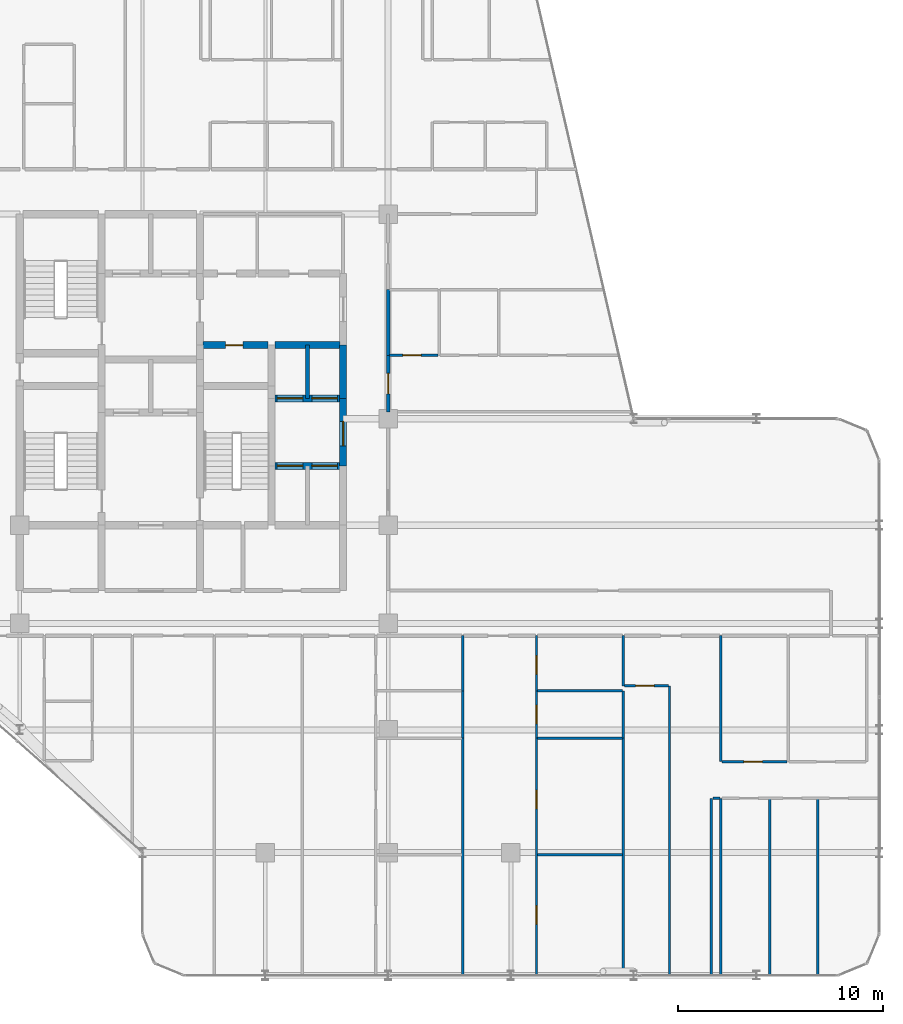
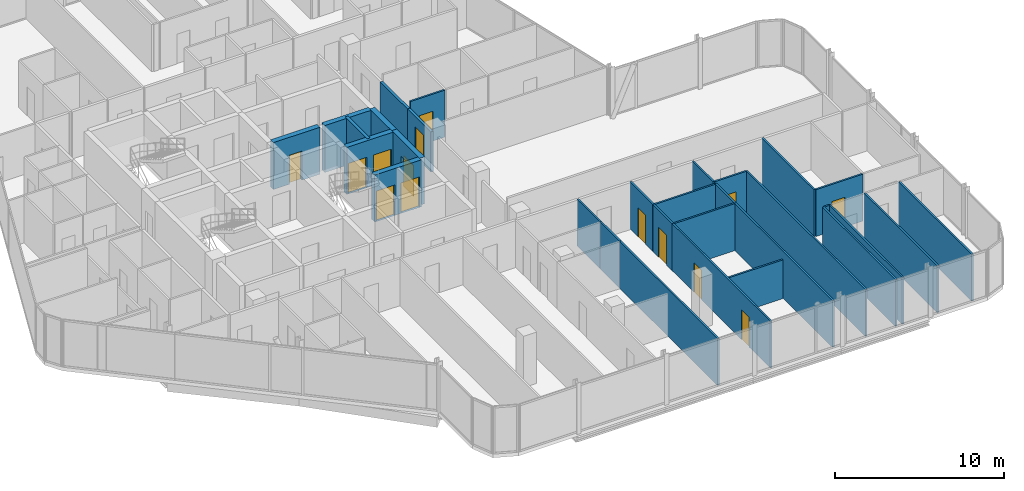
# One storey, part 25 of 29: 31 walls, 14 doors, 14 openings.
"""IFC4 building model written with IfcOpenShell, lengths in metres."""

from ifc_helpers import new_model, si_unit, direction, frame, frame_2d, origin, place, context, subcontext, project, spatial, rectangle, extrude, material, layer, layer_set, type_object, element, fill, save


model = new_model("IFC4")

# Units and contexts
model_context = context("Model", 3, precision=1e-05, world=origin(), true_north=direction((0.0, 1.0)))
body_context = subcontext(model_context, "Body", "Model", "MODEL_VIEW")
ifc_project = project(units=[si_unit("LENGTHUNIT", "METRE"), si_unit("AREAUNIT", "SQUARE_METRE"), si_unit("VOLUMEUNIT", "CUBIC_METRE"), si_unit("PLANEANGLEUNIT", "RADIAN"), si_unit("MASSUNIT", "GRAM", prefix="KILO")], contexts=[model_context])

# Site, building, storey
site_placement = place(None, origin())
site = spatial("IfcSite", under=ifc_project, at=site_placement, CompositionType="ELEMENT")
building_placement = place(site_placement, origin())
building = spatial("IfcBuilding", under=site, at=building_placement, Name="Keshet Zoharim Tower", CompositionType="ELEMENT")
storey_placement = place(building_placement, frame((0.0, 0.0, 199.5)))
storey = spatial("IfcBuildingStorey", under=building, at=storey_placement, Name="L49", CompositionType="ELEMENT", Elevation=199.5)

# Wall, opening, door
ifc_material_1 = material(Name="Concrete C60/75", Category="concrete")
ifc_layer_1 = layer(ifc_material_1, 0.35009765625)
ifc_layer_set_1 = layer_set([ifc_layer_1], Name="Concrete C60/75")
wall_type_1 = type_object("IfcWallType", Name="WL-CORE-350", PredefinedType="SHEAR", material=ifc_layer_set_1)
wall_1_placement = place(storey_placement, frame((30.800048828125, 25.60009765625, 0.0), z_axis=(0.0, 0.0, 1.0), x_axis=(0.0, 1.0, 0.0)))
wall_1 = element("IfcWall", 1, at=wall_1_placement, inside=storey, type_object=wall_type_1, Name="L49 Core Shear Wall 064", PredefinedType="SHEAR", context=body_context, shape_type="SweptSolid", body=[
    extrude(rectangle(XDim=3.2998046875, YDim=0.35009765625, at=frame_2d((1.64990234375, 0.0))), origin(), (0.0, 0.0, 1.0), 3.389892578125),
])
opening_1_placement = place(wall_1_placement, frame((0.97802734375, 0.0, 0.0)))
opening_1 = element("IfcOpeningElement", 2, at=opening_1_placement, cuts=wall_1, Name="Opening D-F612", PredefinedType="OPENING", context=body_context, shape_type="SweptSolid", body=[
    extrude(rectangle(XDim=1.199951171875, YDim=2.199951171875, at=frame_2d((0.60009765625, 1.10009765625))), frame((0.0, 0.18505859375, 0.0), z_axis=(0.0, -1.0, 0.0), x_axis=(1.0, 0.0, 0.0)), (0.0, 0.0, 1.0), 0.3701171875),
])
ifc_material_2 = material(Name="Hardwood Timber", Category="wood")
door_type_1 = type_object("IfcDoorType", Name="DR-FD60-120", OperationType="NOTDEFINED", PredefinedType="DOOR", material=ifc_material_2)
door_1_placement = place(opening_1_placement, origin())
door_1 = element("IfcDoor", 3, at=door_1_placement, inside=storey, type_object=door_type_1, Name="L49 East Lift Lobby Fire Door", OperationType="SINGLE_SWING_RIGHT", OverallHeight=2.199951171875, OverallWidth=1.199951171875, PredefinedType="DOOR", context=body_context, shape_type="SweptSolid", body=[
    extrude(rectangle(XDim=1.199951171875, YDim=2.199951171875, at=frame_2d((0.60009765625, 1.10009765625))), frame((0.0, 0.02490234375, 0.0), z_axis=(0.0, -1.0, 0.0), x_axis=(1.0, 0.0, 0.0)), (0.0, 0.0, 1.0), 0.050048828125),
])
fill(opening_1, door_1)

# Wall
wall_2_placement = place(storey_placement, frame((30.800048828125, 28.89990234375, 0.0), z_axis=(0.0, 0.0, 1.0), x_axis=(0.0, 1.0, 0.0)))
element("IfcWall", 4, at=wall_2_placement, inside=storey, type_object=wall_type_1, Name="L49 Core Shear Wall 065", PredefinedType="SHEAR", context=body_context, shape_type="SweptSolid", body=[
    extrude(rectangle(XDim=2.60009765625, YDim=0.35009765625, at=frame_2d((1.300048828125, 0.0))), origin(), (0.0, 0.0, 1.0), 3.389892578125),
])

# Wall, openings, doors
wall_3_placement = place(storey_placement, frame((27.4599609375, 25.60009765625, 0.0), z_axis=(0.0, 0.0, 1.0), x_axis=(1.0, 0.0, 0.0)))
wall_3 = element("IfcWall", 5, at=wall_3_placement, inside=storey, type_object=wall_type_1, Name="L49 Core Shear Wall 145", PredefinedType="SHEAR", context=body_context, shape_type="SweptSolid", body=[
    extrude(rectangle(XDim=3.179931640625, YDim=0.35009765625, at=frame_2d((1.58984375, 0.0))), origin(), (0.0, 0.0, 1.0), 3.389892578125),
])
opening_2_placement = place(wall_3_placement, frame((0.1201171875, 0.0, 0.0)))
opening_2 = element("IfcOpeningElement", 6, at=opening_2_placement, cuts=wall_3, Name="Opening LD-01", PredefinedType="OPENING", context=body_context, shape_type="SweptSolid", body=[
    extrude(rectangle(XDim=1.25, YDim=2.199951171875, at=frame_2d((0.625, 1.10009765625))), frame((0.0, 0.18505859375, 0.0), z_axis=(0.0, -1.0, 0.0), x_axis=(1.0, 0.0, 0.0)), (0.0, 0.0, 1.0), 0.3701171875),
])
opening_3_placement = place(wall_3_placement, frame((1.81005859375, 0.0, 0.0)))
opening_3 = element("IfcOpeningElement", 7, at=opening_3_placement, cuts=wall_3, Name="Opening LD-01", PredefinedType="OPENING", context=body_context, shape_type="SweptSolid", body=[
    extrude(rectangle(XDim=1.25, YDim=2.199951171875, at=frame_2d((0.625, 1.10009765625))), frame((0.0, 0.18505859375, 0.0), z_axis=(0.0, -1.0, 0.0), x_axis=(1.0, 0.0, 0.0)), (0.0, 0.0, 1.0), 0.3701171875),
])
ifc_material_3 = material(Name="Steel S355", Category="steel")
door_type_2 = type_object("IfcDoorType", Name="DR-LD01-125", OperationType="DOUBLE_DOOR_SLIDING", PredefinedType="DOOR", material=ifc_material_3)
door_2_placement = place(opening_2_placement, origin())
door_2 = element("IfcDoor", 8, at=door_2_placement, inside=storey, type_object=door_type_2, Name="L49 Passenger Lift Landing Door LF-07", OperationType="DOUBLE_DOOR_SLIDING", OverallHeight=2.199951171875, OverallWidth=1.25, PredefinedType="DOOR", context=body_context, shape_type="SweptSolid", body=[
    extrude(rectangle(XDim=1.25, YDim=2.199951171875, at=frame_2d((0.625, 1.10009765625))), frame((0.0, 0.02490234375, 0.0), z_axis=(0.0, -1.0, 0.0), x_axis=(1.0, 0.0, 0.0)), (0.0, 0.0, 1.0), 0.050048828125),
])
fill(opening_2, door_2)
door_3_placement = place(opening_3_placement, origin())
door_3 = element("IfcDoor", 9, at=door_3_placement, inside=storey, type_object=door_type_2, Name="L49 Passenger Lift Landing Door LF-08", OperationType="DOUBLE_DOOR_SLIDING", OverallHeight=2.199951171875, OverallWidth=1.25, PredefinedType="DOOR", context=body_context, shape_type="SweptSolid", body=[
    extrude(rectangle(XDim=1.25, YDim=2.199951171875, at=frame_2d((0.625, 1.10009765625))), frame((0.0, 0.02490234375, 0.0), z_axis=(0.0, -1.0, 0.0), x_axis=(1.0, 0.0, 0.0)), (0.0, 0.0, 1.0), 0.050048828125),
])
fill(opening_3, door_3)

wall_4_placement = place(storey_placement, frame((27.4599609375, 28.89990234375, 0.0), z_axis=(0.0, 0.0, 1.0), x_axis=(1.0, 0.0, 0.0)))
wall_4 = element("IfcWall", 10, at=wall_4_placement, inside=storey, type_object=wall_type_1, Name="L49 Core Shear Wall 152", PredefinedType="SHEAR", context=body_context, shape_type="SweptSolid", body=[
    extrude(rectangle(XDim=3.179931640625, YDim=0.35009765625, at=frame_2d((1.58984375, 0.0))), origin(), (0.0, 0.0, 1.0), 3.389892578125),
])
opening_4_placement = place(wall_4_placement, frame((0.1201171875, 0.0, 0.0)))
opening_4 = element("IfcOpeningElement", 11, at=opening_4_placement, cuts=wall_4, Name="Opening LD-01", PredefinedType="OPENING", context=body_context, shape_type="SweptSolid", body=[
    extrude(rectangle(XDim=1.25, YDim=2.199951171875, at=frame_2d((0.625, 1.10009765625))), frame((0.0, 0.18505859375, 0.0), z_axis=(0.0, -1.0, 0.0), x_axis=(1.0, 0.0, 0.0)), (0.0, 0.0, 1.0), 0.3701171875),
])
opening_5_placement = place(wall_4_placement, frame((1.81005859375, 0.0, 0.0)))
opening_5 = element("IfcOpeningElement", 12, at=opening_5_placement, cuts=wall_4, Name="Opening LD-01", PredefinedType="OPENING", context=body_context, shape_type="SweptSolid", body=[
    extrude(rectangle(XDim=1.25, YDim=2.199951171875, at=frame_2d((0.625, 1.10009765625))), frame((0.0, 0.18505859375, 0.0), z_axis=(0.0, -1.0, 0.0), x_axis=(1.0, 0.0, 0.0)), (0.0, 0.0, 1.0), 0.3701171875),
])
door_4_placement = place(opening_4_placement, origin())
door_4 = element("IfcDoor", 13, at=door_4_placement, inside=storey, type_object=door_type_2, Name="L49 Passenger Lift Landing Door LF-05", OperationType="DOUBLE_DOOR_SLIDING", OverallHeight=2.199951171875, OverallWidth=1.25, PredefinedType="DOOR", context=body_context, shape_type="SweptSolid", body=[
    extrude(rectangle(XDim=1.25, YDim=2.199951171875, at=frame_2d((0.625, 1.10009765625))), frame((0.0, 0.02490234375, 0.0), z_axis=(0.0, -1.0, 0.0), x_axis=(1.0, 0.0, 0.0)), (0.0, 0.0, 1.0), 0.050048828125),
])
fill(opening_4, door_4)
door_5_placement = place(opening_5_placement, origin())
door_5 = element("IfcDoor", 14, at=door_5_placement, inside=storey, type_object=door_type_2, Name="L49 Passenger Lift Landing Door LF-06", OperationType="DOUBLE_DOOR_SLIDING", OverallHeight=2.199951171875, OverallWidth=1.25, PredefinedType="DOOR", context=body_context, shape_type="SweptSolid", body=[
    extrude(rectangle(XDim=1.25, YDim=2.199951171875, at=frame_2d((0.625, 1.10009765625))), frame((0.0, 0.02490234375, 0.0), z_axis=(0.0, -1.0, 0.0), x_axis=(1.0, 0.0, 0.0)), (0.0, 0.0, 1.0), 0.050048828125),
])
fill(opening_5, door_5)

# Wall, opening, door
wall_5_placement = place(storey_placement, frame((23.9599609375, 31.5, 0.0), z_axis=(0.0, 0.0, 1.0), x_axis=(1.0, 0.0, 0.0)))
wall_5 = element("IfcWall", 15, at=wall_5_placement, inside=storey, type_object=wall_type_1, Name="L49 Core Shear Wall 162", PredefinedType="SHEAR", context=body_context, shape_type="SweptSolid", body=[
    extrude(rectangle(XDim=3.179931640625, YDim=0.35009765625, at=frame_2d((1.58984375, 0.0))), origin(), (0.0, 0.0, 1.0), 3.389892578125),
])
opening_6_placement = place(wall_5_placement, frame((1.093994140625, 0.0, 0.0)))
opening_6 = element("IfcOpeningElement", 16, at=opening_6_placement, cuts=wall_5, Name="Opening D-RS85", PredefinedType="OPENING", context=body_context, shape_type="SweptSolid", body=[
    extrude(rectangle(XDim=0.85009765625, YDim=2.10009765625, at=frame_2d((0.425048828125, 1.050048828125))), frame((0.0, 0.18505859375, 0.0), z_axis=(0.0, -1.0, 0.0), x_axis=(1.0, 0.0, 0.0)), (0.0, 0.0, 1.0), 0.3701171875),
])
door_type_3 = type_object("IfcDoorType", Name="DR-RIS-085", OperationType="NOTDEFINED", PredefinedType="DOOR", material=ifc_material_2)
door_6_placement = place(opening_6_placement, origin())
door_6 = element("IfcDoor", 17, at=door_6_placement, inside=storey, type_object=door_type_3, Name="L49 Telecom Riser Access Cupboard Door", OperationType="SINGLE_SWING_RIGHT", OverallHeight=2.10009765625, OverallWidth=0.85009765625, PredefinedType="DOOR", context=body_context, shape_type="SweptSolid", body=[
    extrude(rectangle(XDim=0.85009765625, YDim=2.10009765625, at=frame_2d((0.425048828125, 1.050048828125))), frame((0.0, 0.02490234375, 0.0), z_axis=(0.0, -1.0, 0.0), x_axis=(1.0, 0.0, 0.0)), (0.0, 0.0, 1.0), 0.050048828125),
])
fill(opening_6, door_6)

# Wall
wall_6_placement = place(storey_placement, frame((27.4599609375, 31.5, 0.0), z_axis=(0.0, 0.0, 1.0), x_axis=(1.0, 0.0, 0.0)))
element("IfcWall", 18, at=wall_6_placement, inside=storey, type_object=wall_type_1, Name="L49 Core Shear Wall 163", PredefinedType="SHEAR", context=body_context, shape_type="SweptSolid", body=[
    extrude(rectangle(XDim=3.179931640625, YDim=0.35009765625, at=frame_2d((1.58984375, 0.0))), origin(), (0.0, 0.0, 1.0), 3.389892578125),
])

# Wall, opening, door
ifc_material_4 = material(Name="Gypsum Plasterboard", Category="gypsum")
ifc_layer_2 = layer(ifc_material_4, 0.179931640625)
ifc_layer_set_2 = layer_set([ifc_layer_2], Name="Gypsum Plasterboard")
wall_type_2 = type_object("IfcWallType", Name="WL-CORR-180", PredefinedType="STANDARD", material=ifc_layer_set_2)
wall_7_placement = place(storey_placement, frame((33.0, 28.239990234375, 0.0), z_axis=(0.0, 0.0, 1.0), x_axis=(0.0, 1.0, 0.0)))
wall_7 = element("IfcWall", 19, at=wall_7_placement, inside=storey, type_object=wall_type_2, Name="L49 Interior Wall 072", PredefinedType="STANDARD", context=body_context, shape_type="SweptSolid", body=[
    extrude(rectangle(XDim=2.75, YDim=0.179931640625, at=frame_2d((1.375, 0.0))), origin(), (0.0, 0.0, 1.0), 2.889892578125),
])
opening_7_placement = place(wall_7_placement, frame((0.875, 0.0, 0.0)))
opening_7 = element("IfcOpeningElement", 20, at=opening_7_placement, cuts=wall_7, Name="Opening D-F310", PredefinedType="OPENING", context=body_context, shape_type="SweptSolid", body=[
    extrude(rectangle(XDim=1.0, YDim=2.14990234375, at=frame_2d((0.5, 1.074951171875))), frame((0.0, 0.10009765625, 0.0), z_axis=(0.0, -1.0, 0.0), x_axis=(1.0, 0.0, 0.0)), (0.0, 0.0, 1.0), 0.199951171875),
])
door_type_4 = type_object("IfcDoorType", Name="DR-FD30-100", OperationType="NOTDEFINED", PredefinedType="DOOR", material=ifc_material_2)
door_7_placement = place(opening_7_placement, origin())
door_7 = element("IfcDoor", 21, at=door_7_placement, inside=storey, type_object=door_type_4, Name="Apartment 4911 Entrance Door", OperationType="SINGLE_SWING_LEFT", OverallHeight=2.14990234375, OverallWidth=1.0, PredefinedType="DOOR", context=body_context, shape_type="SweptSolid", body=[
    extrude(rectangle(XDim=1.0, YDim=2.14990234375, at=frame_2d((0.5, 1.074951171875))), frame((0.0, 0.02490234375, 0.0), z_axis=(0.0, -1.0, 0.0), x_axis=(1.0, 0.0, 0.0)), (0.0, 0.0, 1.0), 0.050048828125),
])
fill(opening_7, door_7)

# Walls
wall_8_placement = place(storey_placement, frame((33.0, 30.989990234375, 0.0), z_axis=(0.0, 0.0, 1.0), x_axis=(0.0, 1.0, 0.0)))
element("IfcWall", 22, at=wall_8_placement, inside=storey, type_object=wall_type_2, Name="L49 Interior Wall 073", PredefinedType="STANDARD", context=body_context, shape_type="SweptSolid", body=[
    extrude(rectangle(XDim=3.22998046875, YDim=0.179931640625, at=frame_2d((1.614990234375, 0.0))), origin(), (0.0, 0.0, 1.0), 2.889892578125),
])
ifc_material_5 = material(Name="Concrete C50/60", Category="concrete")
ifc_layer_3 = layer(ifc_material_5, 0.199951171875)
ifc_layer_set_3 = layer_set([ifc_layer_3], Name="Concrete C50/60")
wall_type_3 = type_object("IfcWallType", Name="WL-FIRE-200", PredefinedType="STANDARD", material=ifc_layer_set_3)
wall_9_placement = place(storey_placement, frame((29.050048828125, 28.89990234375, 0.0), z_axis=(0.0, 0.0, 1.0), x_axis=(0.0, 1.0, 0.0)))
element("IfcWall", 23, at=wall_9_placement, inside=storey, type_object=wall_type_3, Name="L49 Interior Wall 058", PredefinedType="STANDARD", context=body_context, shape_type="SweptSolid", body=[
    extrude(rectangle(XDim=2.60009765625, YDim=0.199951171875, at=frame_2d((1.300048828125, 0.0))), origin(), (0.0, 0.0, 1.0), 3.389892578125),
])
ifc_layer_4 = layer(ifc_material_4, 0.1201171875)
ifc_layer_set_4 = layer_set([ifc_layer_4], Name="Gypsum Plasterboard")
wall_type_4 = type_object("IfcWallType", Name="WL-PART-120", PredefinedType="PARTITIONING", material=ifc_layer_set_4)
wall_10_placement = place(storey_placement, frame((36.64990234375, 0.7099609375, 0.0), z_axis=(0.0, 0.0, 1.0), x_axis=(0.0, 1.0, 0.0)))
element("IfcWall", 24, at=wall_10_placement, inside=storey, type_object=wall_type_4, Name="L49 Interior Wall 079", PredefinedType="PARTITIONING", context=body_context, shape_type="SweptSolid", body=[
    extrude(rectangle(XDim=11.590087890625, YDim=0.1201171875, at=frame_2d((5.794921875, 0.0))), origin(), (0.0, 0.0, 1.0), 3.389892578125),
])
wall_11_placement = place(storey_placement, frame((36.64990234375, 12.300048828125, 0.0), z_axis=(0.0, 0.0, 1.0), x_axis=(0.0, 1.0, 0.0)))
element("IfcWall", 25, at=wall_11_placement, inside=storey, type_object=wall_type_4, Name="L49 Interior Wall 080", PredefinedType="PARTITIONING", context=body_context, shape_type="SweptSolid", body=[
    extrude(rectangle(XDim=2.300048828125, YDim=0.1201171875, at=frame_2d((1.14990234375, 0.0))), origin(), (0.0, 0.0, 1.0), 3.389892578125),
])

# Wall, openings, doors
wall_12_placement = place(storey_placement, frame((40.25, 0.7099609375, 0.0), z_axis=(0.0, 0.0, 1.0), x_axis=(0.0, 1.0, 0.0)))
wall_12 = element("IfcWall", 26, at=wall_12_placement, inside=storey, type_object=wall_type_4, Name="L49 Interior Wall 085", PredefinedType="PARTITIONING", context=body_context, shape_type="SweptSolid", body=[
    extrude(rectangle(XDim=11.590087890625, YDim=0.1201171875, at=frame_2d((5.794921875, 0.0))), origin(), (0.0, 0.0, 1.0), 3.389892578125),
])
opening_8_placement = place(wall_12_placement, frame((2.489990234375, 0.0, 0.0)))
opening_8 = element("IfcOpeningElement", 27, at=opening_8_placement, cuts=wall_12, Name="Opening D-IN90", PredefinedType="OPENING", context=body_context, shape_type="SweptSolid", body=[
    extrude(rectangle(XDim=0.89990234375, YDim=2.14990234375, at=frame_2d((0.449951171875, 1.074951171875))), frame((0.0, 0.070068359375, 0.0), z_axis=(0.0, -1.0, 0.0), x_axis=(1.0, 0.0, 0.0)), (0.0, 0.0, 1.0), 0.14013671875),
])
opening_9_placement = place(wall_12_placement, frame((8.133056640625, 0.0, 0.0)))
opening_9 = element("IfcOpeningElement", 28, at=opening_9_placement, cuts=wall_12, Name="Opening D-IN90", PredefinedType="OPENING", context=body_context, shape_type="SweptSolid", body=[
    extrude(rectangle(XDim=0.89990234375, YDim=2.14990234375, at=frame_2d((0.449951171875, 1.074951171875))), frame((0.0, 0.070068359375, 0.0), z_axis=(0.0, -1.0, 0.0), x_axis=(1.0, 0.0, 0.0)), (0.0, 0.0, 1.0), 0.14013671875),
])
door_type_5 = type_object("IfcDoorType", Name="DR-INT-090", OperationType="NOTDEFINED", PredefinedType="DOOR", material=ifc_material_2)
door_8_placement = place(opening_8_placement, origin())
door_8 = element("IfcDoor", 29, at=door_8_placement, inside=storey, type_object=door_type_5, Name="Apartment 4903 Bedroom 1 Door", OperationType="SINGLE_SWING_LEFT", OverallHeight=2.14990234375, OverallWidth=0.89990234375, PredefinedType="DOOR", context=body_context, shape_type="SweptSolid", body=[
    extrude(rectangle(XDim=0.89990234375, YDim=2.14990234375, at=frame_2d((0.449951171875, 1.074951171875))), frame((0.0, 0.02490234375, 0.0), z_axis=(0.0, -1.0, 0.0), x_axis=(1.0, 0.0, 0.0)), (0.0, 0.0, 1.0), 0.050048828125),
])
fill(opening_8, door_8)
door_9_placement = place(opening_9_placement, origin())
door_9 = element("IfcDoor", 30, at=door_9_placement, inside=storey, type_object=door_type_5, Name="Apartment 4903 Bedroom 2 Door", OperationType="SINGLE_SWING_RIGHT", OverallHeight=2.14990234375, OverallWidth=0.89990234375, PredefinedType="DOOR", context=body_context, shape_type="SweptSolid", body=[
    extrude(rectangle(XDim=0.89990234375, YDim=2.14990234375, at=frame_2d((0.449951171875, 1.074951171875))), frame((0.0, 0.02490234375, 0.0), z_axis=(0.0, -1.0, 0.0), x_axis=(1.0, 0.0, 0.0)), (0.0, 0.0, 1.0), 0.050048828125),
])
fill(opening_9, door_9)

# Wall, opening, door
wall_13_placement = place(storey_placement, frame((40.25, 12.300048828125, 0.0), z_axis=(0.0, 0.0, 1.0), x_axis=(0.0, 1.0, 0.0)))
wall_13 = element("IfcWall", 31, at=wall_13_placement, inside=storey, type_object=wall_type_4, Name="L49 Interior Wall 086", PredefinedType="PARTITIONING", context=body_context, shape_type="SweptSolid", body=[
    extrude(rectangle(XDim=2.300048828125, YDim=0.1201171875, at=frame_2d((1.14990234375, 0.0))), origin(), (0.0, 0.0, 1.0), 3.389892578125),
])
opening_10_placement = place(wall_13_placement, frame((0.699951171875, 0.0, 0.0)))
opening_10 = element("IfcOpeningElement", 32, at=opening_10_placement, cuts=wall_13, Name="Opening D-IN90", PredefinedType="OPENING", context=body_context, shape_type="SweptSolid", body=[
    extrude(rectangle(XDim=0.89990234375, YDim=2.14990234375, at=frame_2d((0.449951171875, 1.074951171875))), frame((0.0, 0.070068359375, 0.0), z_axis=(0.0, -1.0, 0.0), x_axis=(1.0, 0.0, 0.0)), (0.0, 0.0, 1.0), 0.14013671875),
])
door_10_placement = place(opening_10_placement, origin())
door_10 = element("IfcDoor", 33, at=door_10_placement, inside=storey, type_object=door_type_5, Name="Apartment 4903 Kitchen Door", OperationType="SINGLE_SWING_LEFT", OverallHeight=2.14990234375, OverallWidth=0.89990234375, PredefinedType="DOOR", context=body_context, shape_type="SweptSolid", body=[
    extrude(rectangle(XDim=0.89990234375, YDim=2.14990234375, at=frame_2d((0.449951171875, 1.074951171875))), frame((0.0, 0.02490234375, 0.0), z_axis=(0.0, -1.0, 0.0), x_axis=(1.0, 0.0, 0.0)), (0.0, 0.0, 1.0), 0.050048828125),
])
fill(opening_10, door_10)

# Walls
wall_14_placement = place(storey_placement, frame((44.5, 0.7099609375, 0.0), z_axis=(0.0, 0.0, 1.0), x_axis=(0.0, 1.0, 0.0)))
element("IfcWall", 34, at=wall_14_placement, inside=storey, type_object=wall_type_4, Name="L49 Interior Wall 090", PredefinedType="PARTITIONING", context=body_context, shape_type="SweptSolid", body=[
    extrude(rectangle(XDim=11.590087890625, YDim=0.1201171875, at=frame_2d((5.794921875, 0.0))), origin(), (0.0, 0.0, 1.0), 3.389892578125),
])
wall_15_placement = place(storey_placement, frame((44.5, 12.300048828125, 0.0), z_axis=(0.0, 0.0, 1.0), x_axis=(0.0, 1.0, 0.0)))
element("IfcWall", 35, at=wall_15_placement, inside=storey, type_object=wall_type_4, Name="L49 Interior Wall 091", PredefinedType="PARTITIONING", context=body_context, shape_type="SweptSolid", body=[
    extrude(rectangle(XDim=2.300048828125, YDim=0.1201171875, at=frame_2d((1.14990234375, 0.0))), origin(), (0.0, 0.0, 1.0), 3.389892578125),
])
wall_16_placement = place(storey_placement, frame((46.75, 0.7099609375, 0.0), z_axis=(0.0, 0.0, 1.0), x_axis=(0.0, 1.0, 0.0)))
element("IfcWall", 36, at=wall_16_placement, inside=storey, type_object=wall_type_4, Name="L49 Interior Wall 093", PredefinedType="PARTITIONING", context=body_context, shape_type="SweptSolid", body=[
    extrude(rectangle(XDim=14.14013671875, YDim=0.1201171875, at=frame_2d((7.070068359375, 0.0))), origin(), (0.0, 0.0, 1.0), 3.389892578125),
])
for number, where, z_axis, x_axis, name in (
    (37, (48.800048828125, 0.7099609375, 0.0), (0.0, 0.0, 1.0), (0.0, 1.0, 0.0), "L49 Interior Wall 094"),
    (38, (49.25, 0.7099609375, 0.0), (0.0, 0.0, 1.0), (0.0, 1.0, 0.0), "L49 Interior Wall 095"),
):
    element("IfcWall", number, at=place(storey_placement, frame(where, z_axis=z_axis, x_axis=x_axis)), inside=storey, type_object=wall_type_4, Name=name, PredefinedType="PARTITIONING", context=body_context, shape_type="SweptSolid", body=[
        extrude(rectangle(XDim=8.64013671875, YDim=0.1201171875, at=frame_2d((4.320068359375, 0.0))), origin(), (0.0, 0.0, 1.0), 3.389892578125),
    ])
wall_17_placement = place(storey_placement, frame((49.25, 11.14990234375, 0.0), z_axis=(0.0, 0.0, 1.0), x_axis=(0.0, 1.0, 0.0)))
element("IfcWall", 39, at=wall_17_placement, inside=storey, type_object=wall_type_4, Name="L49 Interior Wall 096", PredefinedType="PARTITIONING", context=body_context, shape_type="SweptSolid", body=[
    extrude(rectangle(XDim=6.150146484375, YDim=0.1201171875, at=frame_2d((3.0751953125, 0.0))), origin(), (0.0, 0.0, 1.0), 3.389892578125),
])
for number, where, z_axis, x_axis, name in (
    (40, (51.64990234375, 0.7099609375, 0.0), (0.0, 0.0, 1.0), (0.0, 1.0, 0.0), "L49 Interior Wall 097"),
    (41, (54.0, 0.7099609375, 0.0), (0.0, 0.0, 1.0), (0.0, 1.0, 0.0), "L49 Interior Wall 099"),
):
    element("IfcWall", number, at=place(storey_placement, frame(where, z_axis=z_axis, x_axis=x_axis)), inside=storey, type_object=wall_type_4, Name=name, PredefinedType="PARTITIONING", context=body_context, shape_type="SweptSolid", body=[
        extrude(rectangle(XDim=8.64013671875, YDim=0.1201171875, at=frame_2d((4.320068359375, 0.0))), origin(), (0.0, 0.0, 1.0), 3.389892578125),
    ])
wall_18_placement = place(storey_placement, frame((40.294921875, 6.60009765625, 0.0), z_axis=(0.0, 0.0, 1.0), x_axis=(1.0, 0.0, 0.0)))
element("IfcWall", 42, at=wall_18_placement, inside=storey, type_object=wall_type_4, Name="L49 Interior Wall 103", PredefinedType="PARTITIONING", context=body_context, shape_type="SweptSolid", body=[
    extrude(rectangle(XDim=4.16015625, YDim=0.1201171875, at=frame_2d((2.080078125, 0.0))), origin(), (0.0, 0.0, 1.0), 2.7900390625),
])
wall_19_placement = place(storey_placement, frame((48.864990234375, 9.35009765625, 0.0), z_axis=(0.0, 0.0, 1.0), x_axis=(1.0, 0.0, 0.0)))
element("IfcWall", 43, at=wall_19_placement, inside=storey, type_object=wall_type_4, Name="L49 Interior Wall 104", PredefinedType="PARTITIONING", context=body_context, shape_type="SweptSolid", body=[
    extrude(rectangle(XDim=0.360107421875, YDim=0.1201171875, at=frame_2d((0.18017578125, 0.0))), origin(), (0.0, 0.0, 1.0), 3.389892578125),
])

# Wall, opening, door
wall_20_placement = place(storey_placement, frame((49.31494140625, 11.14990234375, 0.0), z_axis=(0.0, 0.0, 1.0), x_axis=(1.0, 0.0, 0.0)))
wall_20 = element("IfcWall", 44, at=wall_20_placement, inside=storey, type_object=wall_type_4, Name="L49 Interior Wall 106", PredefinedType="PARTITIONING", context=body_context, shape_type="SweptSolid", body=[
    extrude(rectangle(XDim=3.18505859375, YDim=0.1201171875, at=frame_2d((1.592529296875, 0.0))), origin(), (0.0, 0.0, 1.0), 3.389892578125),
])
opening_11_placement = place(wall_20_placement, frame((1.071044921875, 0.0, 0.0)))
opening_11 = element("IfcOpeningElement", 45, at=opening_11_placement, cuts=wall_20, Name="Opening D-IN90", PredefinedType="OPENING", context=body_context, shape_type="SweptSolid", body=[
    extrude(rectangle(XDim=0.89990234375, YDim=2.14990234375, at=frame_2d((0.449951171875, 1.074951171875))), frame((0.0, 0.070068359375, 0.0), z_axis=(0.0, -1.0, 0.0), x_axis=(1.0, 0.0, 0.0)), (0.0, 0.0, 1.0), 0.14013671875),
])
door_11_placement = place(opening_11_placement, origin())
door_11 = element("IfcDoor", 46, at=door_11_placement, inside=storey, type_object=door_type_5, Name="Apartment 4904 Kitchen Door", OperationType="SINGLE_SWING_RIGHT", OverallHeight=2.14990234375, OverallWidth=0.89990234375, PredefinedType="DOOR", context=body_context, shape_type="SweptSolid", body=[
    extrude(rectangle(XDim=0.89990234375, YDim=2.14990234375, at=frame_2d((0.449951171875, 1.074951171875))), frame((0.0, 0.02490234375, 0.0), z_axis=(0.0, -1.0, 0.0), x_axis=(1.0, 0.0, 0.0)), (0.0, 0.0, 1.0), 0.050048828125),
])
fill(opening_11, door_11)

# Wall
wall_21_placement = place(storey_placement, frame((40.294921875, 12.300048828125, 0.0), z_axis=(0.0, 0.0, 1.0), x_axis=(1.0, 0.0, 0.0)))
element("IfcWall", 47, at=wall_21_placement, inside=storey, type_object=wall_type_4, Name="L49 Interior Wall 110", PredefinedType="PARTITIONING", context=body_context, shape_type="SweptSolid", body=[
    extrude(rectangle(XDim=4.16015625, YDim=0.1201171875, at=frame_2d((2.080078125, 0.0))), origin(), (0.0, 0.0, 1.0), 3.389892578125),
])

# Wall, opening, door
wall_22_placement = place(storey_placement, frame((44.544921875, 14.85009765625, 0.0), z_axis=(0.0, 0.0, 1.0), x_axis=(1.0, 0.0, 0.0)))
wall_22 = element("IfcWall", 48, at=wall_22_placement, inside=storey, type_object=wall_type_4, Name="L49 Interior Wall 114", PredefinedType="PARTITIONING", context=body_context, shape_type="SweptSolid", body=[
    extrude(rectangle(XDim=2.16015625, YDim=0.1201171875, at=frame_2d((1.080078125, 0.0))), origin(), (0.0, 0.0, 1.0), 3.389892578125),
])
opening_12_placement = place(wall_22_placement, frame((0.552978515625, 0.0, 0.0)))
opening_12 = element("IfcOpeningElement", 49, at=opening_12_placement, cuts=wall_22, Name="Opening D-IN90", PredefinedType="OPENING", context=body_context, shape_type="SweptSolid", body=[
    extrude(rectangle(XDim=0.89990234375, YDim=2.14990234375, at=frame_2d((0.449951171875, 1.074951171875))), frame((0.0, 0.070068359375, 0.0), z_axis=(0.0, -1.0, 0.0), x_axis=(1.0, 0.0, 0.0)), (0.0, 0.0, 1.0), 0.14013671875),
])
door_12_placement = place(opening_12_placement, origin())
door_12 = element("IfcDoor", 50, at=door_12_placement, inside=storey, type_object=door_type_5, Name="Apartment 4904 Formal Dining Room Door", OperationType="SINGLE_SWING_RIGHT", OverallHeight=2.14990234375, OverallWidth=0.89990234375, PredefinedType="DOOR", context=body_context, shape_type="SweptSolid", body=[
    extrude(rectangle(XDim=0.89990234375, YDim=2.14990234375, at=frame_2d((0.449951171875, 1.074951171875))), frame((0.0, 0.02490234375, 0.0), z_axis=(0.0, -1.0, 0.0), x_axis=(1.0, 0.0, 0.0)), (0.0, 0.0, 1.0), 0.050048828125),
])
fill(opening_12, door_12)

wall_23_placement = place(storey_placement, frame((33.074951171875, 31.0, 0.0), z_axis=(0.0, 0.0, 1.0), x_axis=(1.0, 0.0, 0.0)))
wall_23 = element("IfcWall", 51, at=wall_23_placement, inside=storey, type_object=wall_type_4, Name="L49 Interior Wall 158", PredefinedType="PARTITIONING", context=body_context, shape_type="SweptSolid", body=[
    extrude(rectangle(XDim=2.364013671875, YDim=0.1201171875, at=frame_2d((1.18212890625, 0.0))), origin(), (0.0, 0.0, 1.0), 3.389892578125),
])
opening_13_placement = place(wall_23_placement, frame((0.64111328125, 0.0, 0.0)))
opening_13 = element("IfcOpeningElement", 52, at=opening_13_placement, cuts=wall_23, Name="Opening D-IN90", PredefinedType="OPENING", context=body_context, shape_type="SweptSolid", body=[
    extrude(rectangle(XDim=0.89990234375, YDim=2.14990234375, at=frame_2d((0.449951171875, 1.074951171875))), frame((0.0, 0.070068359375, 0.0), z_axis=(0.0, -1.0, 0.0), x_axis=(1.0, 0.0, 0.0)), (0.0, 0.0, 1.0), 0.14013671875),
])
door_13_placement = place(opening_13_placement, origin())
door_13 = element("IfcDoor", 53, at=door_13_placement, inside=storey, type_object=door_type_5, Name="Apartment 4911 Kitchen Door", OperationType="SINGLE_SWING_LEFT", OverallHeight=2.14990234375, OverallWidth=0.89990234375, PredefinedType="DOOR", context=body_context, shape_type="SweptSolid", body=[
    extrude(rectangle(XDim=0.89990234375, YDim=2.14990234375, at=frame_2d((0.449951171875, 1.074951171875))), frame((0.0, 0.02490234375, 0.0), z_axis=(0.0, -1.0, 0.0), x_axis=(1.0, 0.0, 0.0)), (0.0, 0.0, 1.0), 0.050048828125),
])
fill(opening_13, door_13)

# Wall
ifc_layer_5 = layer(ifc_material_4, 0.1201171875)
ifc_layer_set_5 = layer_set([ifc_layer_5], Name="Gypsum Plasterboard")
wall_type_5 = type_object("IfcWallType", Name="WL-WET-120", PredefinedType="PARTITIONING", material=ifc_layer_set_5)
wall_24_placement = place(storey_placement, frame((36.64990234375, 14.60009765625, 0.0), z_axis=(0.0, 0.0, 1.0), x_axis=(0.0, 1.0, 0.0)))
element("IfcWall", 54, at=wall_24_placement, inside=storey, type_object=wall_type_5, Name="L49 Interior Wall 081", PredefinedType="PARTITIONING", context=body_context, shape_type="SweptSolid", body=[
    extrude(rectangle(XDim=2.699951171875, YDim=0.1201171875, at=frame_2d((1.35009765625, 0.0))), origin(), (0.0, 0.0, 1.0), 3.389892578125),
])

# Wall, opening, door
wall_25_placement = place(storey_placement, frame((40.25, 14.60009765625, 0.0), z_axis=(0.0, 0.0, 1.0), x_axis=(0.0, 1.0, 0.0)))
wall_25 = element("IfcWall", 55, at=wall_25_placement, inside=storey, type_object=wall_type_5, Name="L49 Interior Wall 087", PredefinedType="PARTITIONING", context=body_context, shape_type="SweptSolid", body=[
    extrude(rectangle(XDim=2.699951171875, YDim=0.1201171875, at=frame_2d((1.35009765625, 0.0))), origin(), (0.0, 0.0, 1.0), 3.389892578125),
])
opening_14_placement = place(wall_25_placement, frame((0.827880859375, 0.0, 0.0)))
opening_14 = element("IfcOpeningElement", 56, at=opening_14_placement, cuts=wall_25, Name="Opening D-WT90", PredefinedType="OPENING", context=body_context, shape_type="SweptSolid", body=[
    extrude(rectangle(XDim=0.89990234375, YDim=2.10009765625, at=frame_2d((0.449951171875, 1.050048828125))), frame((0.0, 0.070068359375, 0.0), z_axis=(0.0, -1.0, 0.0), x_axis=(1.0, 0.0, 0.0)), (0.0, 0.0, 1.0), 0.14013671875),
])
door_type_6 = type_object("IfcDoorType", Name="DR-WET-090", OperationType="NOTDEFINED", PredefinedType="DOOR", material=ifc_material_2)
door_14_placement = place(opening_14_placement, origin())
door_14 = element("IfcDoor", 57, at=door_14_placement, inside=storey, type_object=door_type_6, Name="Apartment 4903 Bathroom Door", OperationType="SINGLE_SWING_RIGHT", OverallHeight=2.10009765625, OverallWidth=0.89990234375, PredefinedType="DOOR", context=body_context, shape_type="SweptSolid", body=[
    extrude(rectangle(XDim=0.89990234375, YDim=2.10009765625, at=frame_2d((0.449951171875, 1.050048828125))), frame((0.0, 0.02490234375, 0.0), z_axis=(0.0, -1.0, 0.0), x_axis=(1.0, 0.0, 0.0)), (0.0, 0.0, 1.0), 0.050048828125),
])
fill(opening_14, door_14)

# Walls
wall_26_placement = place(storey_placement, frame((44.5, 14.85009765625, 0.0), z_axis=(0.0, 0.0, 1.0), x_axis=(0.0, 1.0, 0.0)))
element("IfcWall", 58, at=wall_26_placement, inside=storey, type_object=wall_type_5, Name="L49 Interior Wall 092", PredefinedType="PARTITIONING", context=body_context, shape_type="SweptSolid", body=[
    extrude(rectangle(XDim=2.449951171875, YDim=0.1201171875, at=frame_2d((1.22509765625, 0.0))), origin(), (0.0, 0.0, 1.0), 3.389892578125),
])
wall_27_placement = place(storey_placement, frame((40.294921875, 14.60009765625, 0.0), z_axis=(0.0, 0.0, 1.0), x_axis=(1.0, 0.0, 0.0)))
element("IfcWall", 59, at=wall_27_placement, inside=storey, type_object=wall_type_5, Name="L49 Interior Wall 113", PredefinedType="PARTITIONING", context=body_context, shape_type="SweptSolid", body=[
    extrude(rectangle(XDim=4.16015625, YDim=0.1201171875, at=frame_2d((2.080078125, 0.0))), origin(), (0.0, 0.0, 1.0), 3.389892578125),
])

save(model, "model.ifc")
